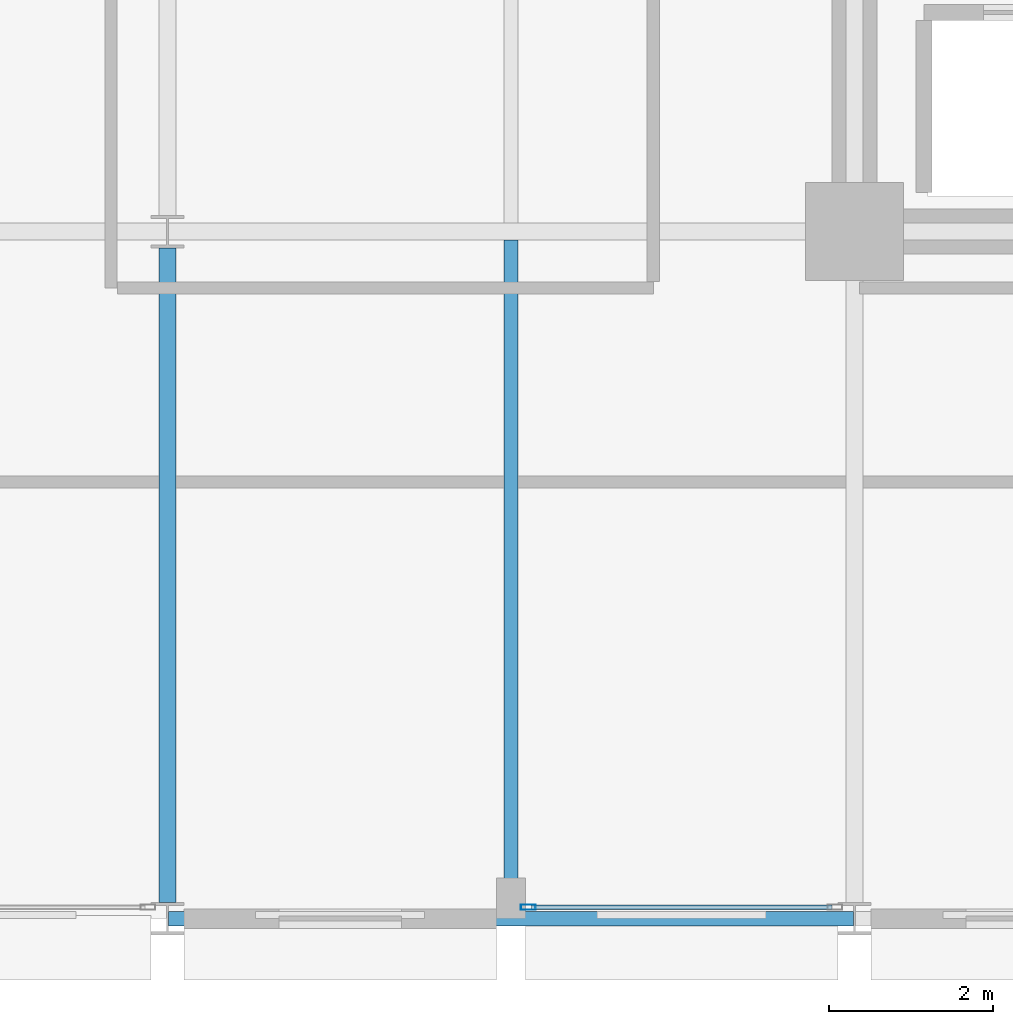
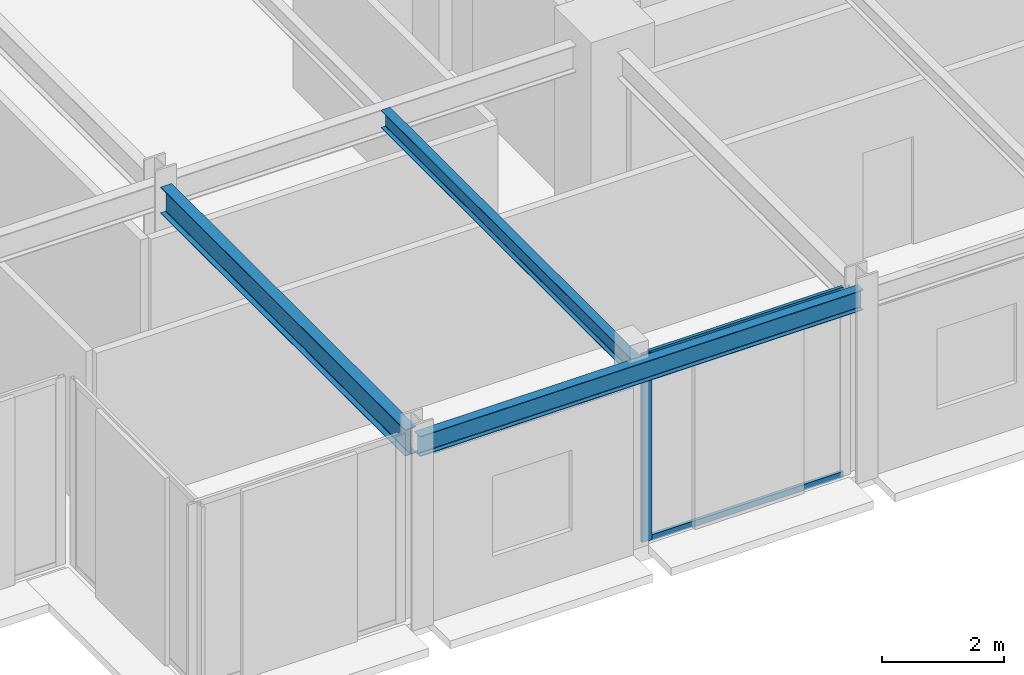
# One storey, part 5 of 40: 3 beams, 3 members, 1 element without a shape of its own.
"""IFC4 building model written with IfcOpenShell, lengths in metres."""

from ifc_helpers import new_model, si_unit, direction, frame, origin, origin_2d, place, context, subcontext, project, spatial, hollow_rectangle, i_section, extrude, material, layer, layer_set, material_profile, profile_set, type_object, element, aggregate, save


model = new_model("IFC4")

# Units and contexts
model_context = context("Model", 3, precision=1e-05, world=origin(), true_north=direction((0.0, 1.0)))
body_context = subcontext(model_context, "Body", "Model", "MODEL_VIEW")
ifc_project = project(units=[si_unit("LENGTHUNIT", "METRE"), si_unit("AREAUNIT", "SQUARE_METRE"), si_unit("VOLUMEUNIT", "CUBIC_METRE"), si_unit("PLANEANGLEUNIT", "RADIAN"), si_unit("MASSUNIT", "GRAM", prefix="KILO")], contexts=[model_context])

# Site, building, storey
site_placement = place(None, origin())
site = spatial("IfcSite", under=ifc_project, at=site_placement, CompositionType="ELEMENT")
building_placement = place(site_placement, origin())
building = spatial("IfcBuilding", under=site, at=building_placement, Name="Nerrivon Quay Data Exchange", CompositionType="ELEMENT")
storey_placement = place(building_placement, frame((0.0, 0.0, 109.0)))
storey = spatial("IfcBuildingStorey", under=building, at=storey_placement, Name="L25", CompositionType="ELEMENT", Elevation=109.0)

# Beams
ifc_material_1 = material(Name="Steel Grade 350", Category="steel")
ifc_material_profile_1 = material_profile(ifc_material_1, i_section(OverallWidth=0.208984375, OverallDepth=0.528076171875, WebThickness=0.009521484375, FlangeThickness=0.01318359375, FilletRadius=0.013916015625, at=origin_2d()), Name="530UB82.0")
ifc_profile_set_1 = profile_set([ifc_material_profile_1], Name="Steel Grade 350")
beam_type_1 = type_object("IfcBeamType", Name="BM-G4-530UB82", PredefinedType="BEAM", material=ifc_profile_set_1)
beam_1_placement = place(storey_placement, frame((8.39990234375, 0.199951171875, 3.486083984375), z_axis=(0.0, 1.0, 0.0), x_axis=(-1.0, 0.0, 0.0)))
element("IfcBeam", 1, at=beam_1_placement, inside=storey, type_object=beam_type_1, Name="L25 NS Girder X=8.4 (0.0..8.4)", PredefinedType="BEAM", context=body_context, shape_type="SweptSolid", body=[
    extrude(i_section(OverallWidth=0.208984375, OverallDepth=0.528076171875, WebThickness=0.009521484375, FlangeThickness=0.01318359375, FilletRadius=0.013916015625, at=origin_2d()), origin(), (0.0, 0.0, 1.0), 8.0),
])
ifc_material_profile_2 = material_profile(ifc_material_1, i_section(OverallWidth=0.1708984375, OverallDepth=0.35595703125, WebThickness=0.00732421875, FlangeThickness=0.011474609375, FilletRadius=0.011474609375, at=origin_2d()), Name="360UB50.7")
ifc_profile_set_2 = profile_set([ifc_material_profile_2], Name="Steel Grade 350")
beam_type_2 = type_object("IfcBeamType", Name="BM-J4-360UB51", PredefinedType="JOIST", material=ifc_profile_set_2)
beam_2_placement = place(storey_placement, frame((12.60009765625, 0.089111328125, 3.572021484375), z_axis=(0.0, 1.0, 0.0), x_axis=(-1.0, 0.0, 0.0)))
element("IfcBeam", 2, at=beam_2_placement, inside=storey, type_object=beam_type_2, Name="L25 Secondary Joist X=12.6 (0.0..8.4)", PredefinedType="JOIST", context=body_context, shape_type="SweptSolid", body=[
    extrude(i_section(OverallWidth=0.1708984375, OverallDepth=0.35595703125, WebThickness=0.00732421875, FlangeThickness=0.011474609375, FilletRadius=0.011474609375, at=origin_2d()), origin(), (0.0, 0.0, 1.0), 8.206298828125),
])
ifc_material_profile_3 = material_profile(ifc_material_1, i_section(OverallWidth=0.177978515625, OverallDepth=0.403076171875, WebThickness=0.007568359375, FlangeThickness=0.010986328125, FilletRadius=0.011474609375, at=origin_2d()), Name="410UB53.7")
ifc_profile_set_3 = profile_set([ifc_material_profile_3], Name="Steel Grade 350")
beam_type_3 = type_object("IfcBeamType", Name="BM-SP2-410UB54", PredefinedType="SPANDREL", material=ifc_profile_set_3)
beam_3_placement = place(storey_placement, frame((8.41259765625, 0.0, 3.548583984375), z_axis=(1.0, 0.0, 0.0), x_axis=(0.0, 1.0, 0.0)))
element("IfcBeam", 3, at=beam_3_placement, inside=storey, type_object=beam_type_3, Name="L25 EW Girder Y=0.0 (8.4..16.8)", PredefinedType="SPANDREL", context=body_context, shape_type="SweptSolid", body=[
    extrude(i_section(OverallWidth=0.177978515625, OverallDepth=0.403076171875, WebThickness=0.007568359375, FlangeThickness=0.010986328125, FilletRadius=0.011474609375, at=origin_2d()), origin(), (0.0, 0.0, 1.0), 8.375),
])

# Curtain wall, members
ifc_material_2 = material(Name="Anodised aluminium 6063-T6", Category="aluminium")
ifc_layer = layer(ifc_material_2, 0.2099609375)
ifc_layer_set = layer_set([ifc_layer], Name="Anodised aluminium 6063-T6")
curtain_wall_type = type_object("IfcCurtainWallType", Name="CW-SYS-02", PredefinedType="NOTDEFINED", material=ifc_layer_set)
curtain_wall_placement = place(storey_placement, origin())
curtain_wall = element("IfcCurtainWall", 4, at=curtain_wall_placement, inside=storey, type_object=curtain_wall_type, Name="L25 Unitised Curtain Wall 12", PredefinedType="NOTDEFINED")
ifc_material_profile_4 = material_profile(ifc_material_2, hollow_rectangle(XDim=0.06494140625, YDim=0.179931640625, WallThickness=0.00341796875, at=origin_2d()), Name="ALU-MULL-180x65")
ifc_profile_set_4 = profile_set([ifc_material_profile_4], Name="Anodised aluminium 6063-T6")
member_type_1 = type_object("IfcMemberType", Name="CWM-180x65", PredefinedType="MULLION", material=ifc_profile_set_4)
member_1_placement = place(storey_placement, frame((12.8125, 0.139892578125, 0.0), z_axis=(0.0, 0.0, 1.0), x_axis=(0.0, -1.0, 0.0)))
member_1 = element("IfcMember", 5, at=member_1_placement, type_object=member_type_1, Name="CW02 mullion 2", PredefinedType="MULLION", context=body_context, shape_type="SweptSolid", body=[
    extrude(hollow_rectangle(XDim=0.06494140625, YDim=0.179931640625, WallThickness=0.00341796875, at=origin_2d()), origin(), (0.0, 0.0, 1.0), 3.75),
])
ifc_material_profile_5 = material_profile(ifc_material_2, hollow_rectangle(XDim=0.06005859375, YDim=0.1201171875, WallThickness=0.003173828125, at=origin_2d()), Name="ALU-TRAN-120x60")
ifc_profile_set_5 = profile_set([ifc_material_profile_5], Name="Anodised aluminium 6063-T6")
member_type_2 = type_object("IfcMemberType", Name="CWT-120x60", PredefinedType="USERDEFINED", material=ifc_profile_set_5)
member_2_placement = place(storey_placement, frame((16.52490234375, 0.139892578125, 0.032470703125), z_axis=(-1.0, 0.0, 0.0), x_axis=(0.0, -1.0, 0.0)))
member_2 = element("IfcMember", 6, at=member_2_placement, type_object=member_type_2, Name="CW02 transom 1.1", ObjectType="TRANSOM", PredefinedType="USERDEFINED", context=body_context, shape_type="SweptSolid", body=[
    extrude(hollow_rectangle(XDim=0.06005859375, YDim=0.1201171875, WallThickness=0.003173828125, at=origin_2d()), origin(), (0.0, 0.0, 1.0), 3.6748046875),
])
member_3_placement = place(storey_placement, frame((16.52490234375, 0.139892578125, 3.717529296875), z_axis=(-1.0, 0.0, 0.0), x_axis=(0.0, -1.0, 0.0)))
member_3 = element("IfcMember", 7, at=member_3_placement, type_object=member_type_2, Name="CW02 transom 1.2", ObjectType="TRANSOM", PredefinedType="USERDEFINED", context=body_context, shape_type="SweptSolid", body=[
    extrude(hollow_rectangle(XDim=0.06005859375, YDim=0.1201171875, WallThickness=0.003173828125, at=origin_2d()), origin(), (0.0, 0.0, 1.0), 3.6748046875),
])
aggregate(curtain_wall, [member_1, member_2, member_3])

save(model, "model.ifc")
